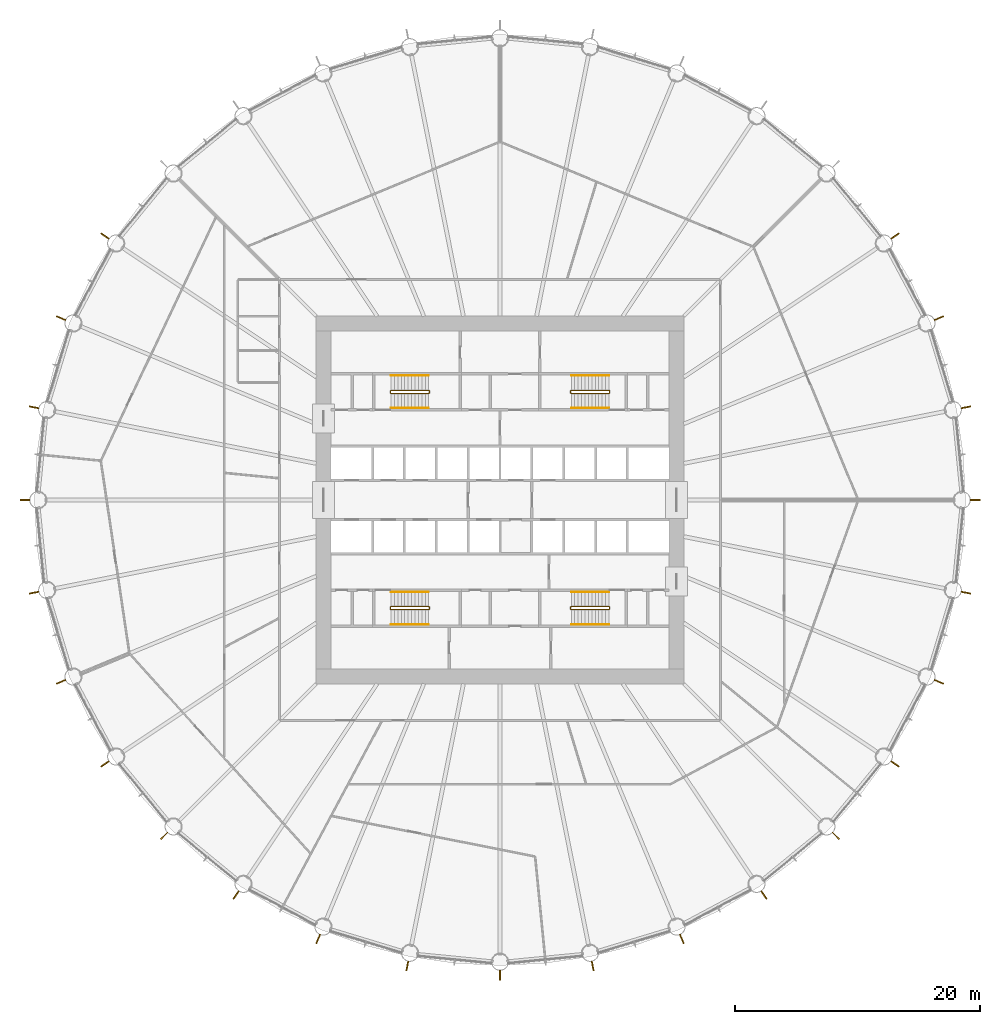
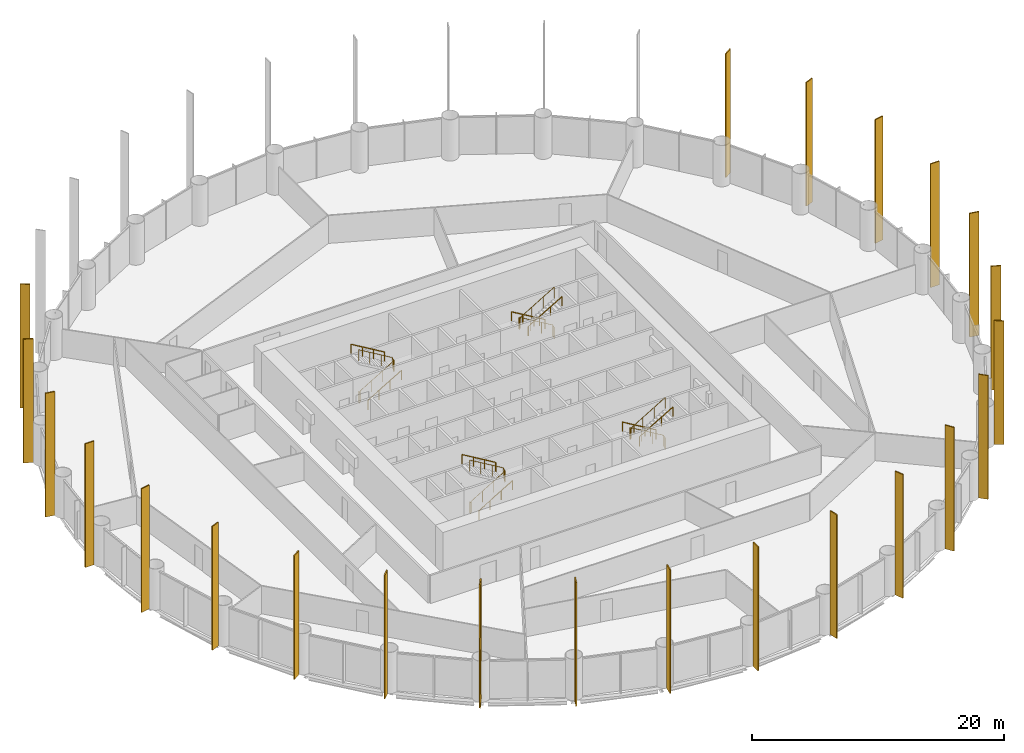
# One storey, part 14 of 15: 23 shading devices, 12 railings.
"""IFC4 building model written with IfcOpenShell, lengths in metres."""

from ifc_helpers import new_model, si_unit, direction, frame, origin, origin_2d, place, context, subcontext, project, spatial, rectangle, circle, extrude, material, material_profile, profile_set, type_object, element, save


model = new_model("IFC4")

# Units and contexts
model_context = context("Model", 3, precision=1e-05, world=origin(), true_north=direction((0.0, 1.0)))
body_context = subcontext(model_context, "Body", "Model", "MODEL_VIEW")
ifc_project = project(units=[si_unit("LENGTHUNIT", "METRE"), si_unit("AREAUNIT", "SQUARE_METRE"), si_unit("VOLUMEUNIT", "CUBIC_METRE"), si_unit("PLANEANGLEUNIT", "RADIAN"), si_unit("MASSUNIT", "GRAM", prefix="KILO")], contexts=[model_context])

# Site, building, storey
site_placement = place(None, origin())
site = spatial("IfcSite", under=ifc_project, at=site_placement, CompositionType="ELEMENT")
building_placement = place(site_placement, origin())
building = spatial("IfcBuilding", under=site, at=building_placement, Name="Corvane Civic Tower", CompositionType="ELEMENT")
storey_placement = place(building_placement, frame((0.0, 0.0, 65.0)))
storey = spatial("IfcBuildingStorey", under=building, at=storey_placement, Name="L14", CompositionType="ELEMENT", Elevation=65.0)

# Railings
ifc_material_1 = material(Name="Steel ASTM A572 Gr 50", Category="steel")
railing_type_1 = type_object("IfcRailingType", Name="ST-GUARD-1100", PredefinedType="GUARDRAIL", material=ifc_material_1)
railing_1_placement = place(storey_placement, frame((8.949951171875, 8.75, 0.0)))
element("IfcRailing", 1, at=railing_1_placement, inside=storey, type_object=railing_type_1, Name="L14 ST1 stair guard 1", PredefinedType="GUARDRAIL", context=body_context, shape_type="SweptSolid", body=[
    extrude(circle(Radius=0.02392578125, at=origin_2d()), frame((0.0, 0.0, 1.076171875), z_axis=(0.0, 1.0, 0.0), x_axis=(-1.0, 0.0, 0.0)), (0.0, 0.0, 1.0), 0.14990234375),
    extrude(circle(Radius=0.02392578125, at=origin_2d()), frame((0.0, 0.14990234375, 1.076171875), z_axis=(-0.27628659633, 0.27628659633, 0.920506074601), x_axis=(-0.707106781187, -0.707106781187, 0.0)), (0.0, 0.0, 1.0), 0.18115234375),
    extrude(circle(Radius=0.02392578125, at=origin_2d()), frame((-0.050048828125, 0.199951171875, 1.24267578125), z_axis=(-0.859290745958, 0.0, 0.51148745235), x_axis=(0.0, -1.0, 0.0)), (0.0, 0.0, 1.0), 3.584228515625),
    extrude(circle(Radius=0.02392578125, at=origin_2d()), frame((-3.1298828125, 0.199951171875, 3.076171875), z_axis=(-0.707106781187, -0.707106781187, 0.0), x_axis=(0.707106781187, -0.707106781187, 0.0)), (0.0, 0.0, 1.0), 0.07080078125),
    extrude(circle(Radius=0.02392578125, at=origin_2d()), frame((-3.179931640625, 0.14990234375, 3.076171875), z_axis=(0.0, -1.0, 0.0), x_axis=(1.0, 0.0, 0.0)), (0.0, 0.0, 1.0), 0.14990234375),
    extrude(circle(Radius=0.02392578125, at=origin_2d()), frame((-3.179931640625, 0.0, 3.076171875), z_axis=(0.27628659633, -0.27628659633, 0.920506074601), x_axis=(0.707106781187, 0.707106781187, 0.0)), (0.0, 0.0, 1.0), 0.18115234375),
    extrude(circle(Radius=0.02392578125, at=origin_2d()), frame((-3.1298828125, -0.050048828125, 3.24267578125), z_axis=(0.859290745958, 0.0, 0.51148745235), x_axis=(0.0, 1.0, 0.0)), (0.0, 0.0, 1.0), 3.584228515625),
    extrude(circle(Radius=0.02099609375, at=origin_2d()), origin(), (0.0, 0.0, 1.0), 1.052001953125),
    extrude(circle(Radius=0.02099609375, at=origin_2d()), frame((0.0, 0.14990234375, 0.0)), (0.0, 0.0, 1.0), 1.052001953125),
    extrude(circle(Radius=0.02099609375, at=origin_2d()), frame((-0.050048828125, 0.199951171875, 0.166748046875)), (0.0, 0.0, 1.0), 1.052001953125),
    extrude(circle(Radius=0.02099609375, at=origin_2d()), frame((-1.07666015625, 0.199951171875, 0.77783203125)), (0.0, 0.0, 1.0), 1.052001953125),
    extrude(circle(Radius=0.02099609375, at=origin_2d()), frame((-2.103271484375, 0.199951171875, 1.388916015625)), (0.0, 0.0, 1.0), 1.052001953125),
    extrude(circle(Radius=0.02099609375, at=origin_2d()), frame((-3.1298828125, 0.199951171875, 2.0)), (0.0, 0.0, 1.0), 1.052001953125),
    extrude(circle(Radius=0.02099609375, at=origin_2d()), frame((-3.179931640625, 0.14990234375, 2.0)), (0.0, 0.0, 1.0), 1.052001953125),
    extrude(circle(Radius=0.02099609375, at=origin_2d()), frame((-3.179931640625, 0.0, 2.0)), (0.0, 0.0, 1.0), 1.052001953125),
    extrude(circle(Radius=0.02099609375, at=origin_2d()), frame((-3.1298828125, -0.050048828125, 2.166748046875)), (0.0, 0.0, 1.0), 1.052001953125),
    extrude(circle(Radius=0.02099609375, at=origin_2d()), frame((-2.103271484375, -0.050048828125, 2.77783203125)), (0.0, 0.0, 1.0), 1.052001953125),
    extrude(circle(Radius=0.02099609375, at=origin_2d()), frame((-1.07666015625, -0.050048828125, 3.388916015625)), (0.0, 0.0, 1.0), 1.052001953125),
    extrude(circle(Radius=0.02099609375, at=origin_2d()), frame((-0.050048828125, -0.050048828125, 4.0)), (0.0, 0.0, 1.0), 1.052001953125),
])
railing_2_placement = place(storey_placement, frame((8.949951171875, -8.89990234375, 0.0)))
element("IfcRailing", 2, at=railing_2_placement, inside=storey, type_object=railing_type_1, Name="L14 ST2 stair guard 1", PredefinedType="GUARDRAIL", context=body_context, shape_type="SweptSolid", body=[
    extrude(circle(Radius=0.02392578125, at=origin_2d()), frame((0.0, 0.0, 1.076171875), z_axis=(0.0, 1.0, 0.0), x_axis=(-1.0, 0.0, 0.0)), (0.0, 0.0, 1.0), 0.14990234375),
    extrude(circle(Radius=0.02392578125, at=origin_2d()), frame((0.0, 0.14990234375, 1.076171875), z_axis=(-0.27628659633, 0.27628659633, 0.920506074601), x_axis=(-0.707106781187, -0.707106781187, 0.0)), (0.0, 0.0, 1.0), 0.18115234375),
    extrude(circle(Radius=0.02392578125, at=origin_2d()), frame((-0.050048828125, 0.199951171875, 1.24267578125), z_axis=(-0.859290745958, 0.0, 0.51148745235), x_axis=(0.0, -1.0, 0.0)), (0.0, 0.0, 1.0), 3.584228515625),
    extrude(circle(Radius=0.02392578125, at=origin_2d()), frame((-3.1298828125, 0.199951171875, 3.076171875), z_axis=(-0.707106781187, -0.707106781187, 0.0), x_axis=(0.707106781187, -0.707106781187, 0.0)), (0.0, 0.0, 1.0), 0.07080078125),
    extrude(circle(Radius=0.02392578125, at=origin_2d()), frame((-3.179931640625, 0.14990234375, 3.076171875), z_axis=(0.0, -1.0, 0.0), x_axis=(1.0, 0.0, 0.0)), (0.0, 0.0, 1.0), 0.14990234375),
    extrude(circle(Radius=0.02392578125, at=origin_2d()), frame((-3.179931640625, 0.0, 3.076171875), z_axis=(0.27628659633, -0.27628659633, 0.920506074601), x_axis=(0.707106781187, 0.707106781187, 0.0)), (0.0, 0.0, 1.0), 0.18115234375),
    extrude(circle(Radius=0.02392578125, at=origin_2d()), frame((-3.1298828125, -0.050048828125, 3.24267578125), z_axis=(0.859290745958, 0.0, 0.51148745235), x_axis=(0.0, 1.0, 0.0)), (0.0, 0.0, 1.0), 3.584228515625),
    extrude(circle(Radius=0.02099609375, at=origin_2d()), origin(), (0.0, 0.0, 1.0), 1.052001953125),
    extrude(circle(Radius=0.02099609375, at=origin_2d()), frame((0.0, 0.14990234375, 0.0)), (0.0, 0.0, 1.0), 1.052001953125),
    extrude(circle(Radius=0.02099609375, at=origin_2d()), frame((-0.050048828125, 0.199951171875, 0.166748046875)), (0.0, 0.0, 1.0), 1.052001953125),
    extrude(circle(Radius=0.02099609375, at=origin_2d()), frame((-1.07666015625, 0.199951171875, 0.77783203125)), (0.0, 0.0, 1.0), 1.052001953125),
    extrude(circle(Radius=0.02099609375, at=origin_2d()), frame((-2.103271484375, 0.199951171875, 1.388916015625)), (0.0, 0.0, 1.0), 1.052001953125),
    extrude(circle(Radius=0.02099609375, at=origin_2d()), frame((-3.1298828125, 0.199951171875, 2.0)), (0.0, 0.0, 1.0), 1.052001953125),
    extrude(circle(Radius=0.02099609375, at=origin_2d()), frame((-3.179931640625, 0.14990234375, 2.0)), (0.0, 0.0, 1.0), 1.052001953125),
    extrude(circle(Radius=0.02099609375, at=origin_2d()), frame((-3.179931640625, 0.0, 2.0)), (0.0, 0.0, 1.0), 1.052001953125),
    extrude(circle(Radius=0.02099609375, at=origin_2d()), frame((-3.1298828125, -0.050048828125, 2.166748046875)), (0.0, 0.0, 1.0), 1.052001953125),
    extrude(circle(Radius=0.02099609375, at=origin_2d()), frame((-2.103271484375, -0.050048828125, 2.77783203125)), (0.0, 0.0, 1.0), 1.052001953125),
    extrude(circle(Radius=0.02099609375, at=origin_2d()), frame((-1.07666015625, -0.050048828125, 3.388916015625)), (0.0, 0.0, 1.0), 1.052001953125),
    extrude(circle(Radius=0.02099609375, at=origin_2d()), frame((-0.050048828125, -0.050048828125, 4.0)), (0.0, 0.0, 1.0), 1.052001953125),
])
railing_3_placement = place(storey_placement, frame((-8.949951171875, -8.75, 0.0)))
element("IfcRailing", 3, at=railing_3_placement, inside=storey, type_object=railing_type_1, Name="L14 ST3 stair guard 1", PredefinedType="GUARDRAIL", context=body_context, shape_type="SweptSolid", body=[
    extrude(circle(Radius=0.02392578125, at=origin_2d()), frame((0.0, 0.0, 1.076171875), z_axis=(0.0, -1.0, 0.0), x_axis=(1.0, 0.0, 0.0)), (0.0, 0.0, 1.0), 0.14990234375),
    extrude(circle(Radius=0.02392578125, at=origin_2d()), frame((0.0, -0.14990234375, 1.076171875), z_axis=(0.27628659633, -0.27628659633, 0.920506074601), x_axis=(0.707106781187, 0.707106781187, 0.0)), (0.0, 0.0, 1.0), 0.18115234375),
    extrude(circle(Radius=0.02392578125, at=origin_2d()), frame((0.050048828125, -0.199951171875, 1.24267578125), z_axis=(0.859290745958, 0.0, 0.51148745235), x_axis=(0.0, 1.0, 0.0)), (0.0, 0.0, 1.0), 3.584228515625),
    extrude(circle(Radius=0.02392578125, at=origin_2d()), frame((3.1298828125, -0.199951171875, 3.076171875), z_axis=(0.707106781187, 0.707106781187, 0.0), x_axis=(-0.707106781187, 0.707106781187, 0.0)), (0.0, 0.0, 1.0), 0.07080078125),
    extrude(circle(Radius=0.02392578125, at=origin_2d()), frame((3.179931640625, -0.14990234375, 3.076171875), z_axis=(0.0, 1.0, 0.0), x_axis=(-1.0, 0.0, 0.0)), (0.0, 0.0, 1.0), 0.14990234375),
    extrude(circle(Radius=0.02392578125, at=origin_2d()), frame((3.179931640625, 0.0, 3.076171875), z_axis=(-0.27628659633, 0.27628659633, 0.920506074601), x_axis=(-0.707106781187, -0.707106781187, 0.0)), (0.0, 0.0, 1.0), 0.18115234375),
    extrude(circle(Radius=0.02392578125, at=origin_2d()), frame((3.1298828125, 0.050048828125, 3.24267578125), z_axis=(-0.859290745958, 0.0, 0.51148745235), x_axis=(0.0, -1.0, 0.0)), (0.0, 0.0, 1.0), 3.584228515625),
    extrude(circle(Radius=0.02099609375, at=origin_2d()), origin(), (0.0, 0.0, 1.0), 1.052001953125),
    extrude(circle(Radius=0.02099609375, at=origin_2d()), frame((0.0, -0.14990234375, 0.0)), (0.0, 0.0, 1.0), 1.052001953125),
    extrude(circle(Radius=0.02099609375, at=origin_2d()), frame((0.050048828125, -0.199951171875, 0.166748046875)), (0.0, 0.0, 1.0), 1.052001953125),
    extrude(circle(Radius=0.02099609375, at=origin_2d()), frame((1.07666015625, -0.199951171875, 0.77783203125)), (0.0, 0.0, 1.0), 1.052001953125),
    extrude(circle(Radius=0.02099609375, at=origin_2d()), frame((2.103271484375, -0.199951171875, 1.388916015625)), (0.0, 0.0, 1.0), 1.052001953125),
    extrude(circle(Radius=0.02099609375, at=origin_2d()), frame((3.1298828125, -0.199951171875, 2.0)), (0.0, 0.0, 1.0), 1.052001953125),
    extrude(circle(Radius=0.02099609375, at=origin_2d()), frame((3.179931640625, -0.14990234375, 2.0)), (0.0, 0.0, 1.0), 1.052001953125),
    extrude(circle(Radius=0.02099609375, at=origin_2d()), frame((3.179931640625, 0.0, 2.0)), (0.0, 0.0, 1.0), 1.052001953125),
    extrude(circle(Radius=0.02099609375, at=origin_2d()), frame((3.1298828125, 0.050048828125, 2.166748046875)), (0.0, 0.0, 1.0), 1.052001953125),
    extrude(circle(Radius=0.02099609375, at=origin_2d()), frame((2.103271484375, 0.050048828125, 2.77783203125)), (0.0, 0.0, 1.0), 1.052001953125),
    extrude(circle(Radius=0.02099609375, at=origin_2d()), frame((1.07666015625, 0.050048828125, 3.388916015625)), (0.0, 0.0, 1.0), 1.052001953125),
    extrude(circle(Radius=0.02099609375, at=origin_2d()), frame((0.050048828125, 0.050048828125, 4.0)), (0.0, 0.0, 1.0), 1.052001953125),
])
railing_4_placement = place(storey_placement, frame((-8.949951171875, 8.89990234375, 0.0)))
element("IfcRailing", 4, at=railing_4_placement, inside=storey, type_object=railing_type_1, Name="L14 ST4 stair guard 1", PredefinedType="GUARDRAIL", context=body_context, shape_type="SweptSolid", body=[
    extrude(circle(Radius=0.02392578125, at=origin_2d()), frame((0.0, 0.0, 1.076171875), z_axis=(0.0, -1.0, 0.0), x_axis=(1.0, 0.0, 0.0)), (0.0, 0.0, 1.0), 0.14990234375),
    extrude(circle(Radius=0.02392578125, at=origin_2d()), frame((0.0, -0.14990234375, 1.076171875), z_axis=(0.27628659633, -0.27628659633, 0.920506074601), x_axis=(0.707106781187, 0.707106781187, 0.0)), (0.0, 0.0, 1.0), 0.18115234375),
    extrude(circle(Radius=0.02392578125, at=origin_2d()), frame((0.050048828125, -0.199951171875, 1.24267578125), z_axis=(0.859290745958, 0.0, 0.51148745235), x_axis=(0.0, 1.0, 0.0)), (0.0, 0.0, 1.0), 3.584228515625),
    extrude(circle(Radius=0.02392578125, at=origin_2d()), frame((3.1298828125, -0.199951171875, 3.076171875), z_axis=(0.707106781187, 0.707106781187, 0.0), x_axis=(-0.707106781187, 0.707106781187, 0.0)), (0.0, 0.0, 1.0), 0.07080078125),
    extrude(circle(Radius=0.02392578125, at=origin_2d()), frame((3.179931640625, -0.14990234375, 3.076171875), z_axis=(0.0, 1.0, 0.0), x_axis=(-1.0, 0.0, 0.0)), (0.0, 0.0, 1.0), 0.14990234375),
    extrude(circle(Radius=0.02392578125, at=origin_2d()), frame((3.179931640625, 0.0, 3.076171875), z_axis=(-0.27628659633, 0.27628659633, 0.920506074601), x_axis=(-0.707106781187, -0.707106781187, 0.0)), (0.0, 0.0, 1.0), 0.18115234375),
    extrude(circle(Radius=0.02392578125, at=origin_2d()), frame((3.1298828125, 0.050048828125, 3.24267578125), z_axis=(-0.859290745958, 0.0, 0.51148745235), x_axis=(0.0, -1.0, 0.0)), (0.0, 0.0, 1.0), 3.584228515625),
    extrude(circle(Radius=0.02099609375, at=origin_2d()), origin(), (0.0, 0.0, 1.0), 1.052001953125),
    extrude(circle(Radius=0.02099609375, at=origin_2d()), frame((0.0, -0.14990234375, 0.0)), (0.0, 0.0, 1.0), 1.052001953125),
    extrude(circle(Radius=0.02099609375, at=origin_2d()), frame((0.050048828125, -0.199951171875, 0.166748046875)), (0.0, 0.0, 1.0), 1.052001953125),
    extrude(circle(Radius=0.02099609375, at=origin_2d()), frame((1.07666015625, -0.199951171875, 0.77783203125)), (0.0, 0.0, 1.0), 1.052001953125),
    extrude(circle(Radius=0.02099609375, at=origin_2d()), frame((2.103271484375, -0.199951171875, 1.388916015625)), (0.0, 0.0, 1.0), 1.052001953125),
    extrude(circle(Radius=0.02099609375, at=origin_2d()), frame((3.1298828125, -0.199951171875, 2.0)), (0.0, 0.0, 1.0), 1.052001953125),
    extrude(circle(Radius=0.02099609375, at=origin_2d()), frame((3.179931640625, -0.14990234375, 2.0)), (0.0, 0.0, 1.0), 1.052001953125),
    extrude(circle(Radius=0.02099609375, at=origin_2d()), frame((3.179931640625, 0.0, 2.0)), (0.0, 0.0, 1.0), 1.052001953125),
    extrude(circle(Radius=0.02099609375, at=origin_2d()), frame((3.1298828125, 0.050048828125, 2.166748046875)), (0.0, 0.0, 1.0), 1.052001953125),
    extrude(circle(Radius=0.02099609375, at=origin_2d()), frame((2.103271484375, 0.050048828125, 2.77783203125)), (0.0, 0.0, 1.0), 1.052001953125),
    extrude(circle(Radius=0.02099609375, at=origin_2d()), frame((1.07666015625, 0.050048828125, 3.388916015625)), (0.0, 0.0, 1.0), 1.052001953125),
    extrude(circle(Radius=0.02099609375, at=origin_2d()), frame((0.050048828125, 0.050048828125, 4.0)), (0.0, 0.0, 1.0), 1.052001953125),
])
ifc_material_2 = material(Name="Steel ASTM A572 Gr 50", Category="steel")
railing_type_2 = type_object("IfcRailingType", Name="ST-HANDRAIL-900", PredefinedType="HANDRAIL", material=ifc_material_2)
railing_5_placement = place(storey_placement, frame((8.89990234375, 10.14990234375, 0.166748046875)))
element("IfcRailing", 5, at=railing_5_placement, inside=storey, type_object=railing_type_2, Name="L14 ST1 stair handrail 1", PredefinedType="HANDRAIL", context=body_context, shape_type="SweptSolid", body=[
    extrude(circle(Radius=0.02392578125, at=origin_2d()), frame((0.0, 0.0, 0.8759765625), z_axis=(-0.859290745958, 0.0, 0.51148745235), x_axis=(0.0, -1.0, 0.0)), (0.0, 0.0, 1.0), 3.584228515625),
    extrude(circle(Radius=0.02099609375, at=origin_2d()), origin(), (0.0, 0.0, 1.0), 0.851806640625),
    extrude(circle(Radius=0.02099609375, at=origin_2d()), frame((-1.026611328125, 0.0, 0.611083984375)), (0.0, 0.0, 1.0), 0.851806640625),
    extrude(circle(Radius=0.02099609375, at=origin_2d()), frame((-2.05322265625, 0.0, 1.22216796875)), (0.0, 0.0, 1.0), 0.851806640625),
    extrude(circle(Radius=0.02099609375, at=origin_2d()), frame((-3.079833984375, 0.0, 1.833251953125)), (0.0, 0.0, 1.0), 0.851806640625),
])
railing_6_placement = place(storey_placement, frame((5.820068359375, 7.5, 2.166748046875)))
element("IfcRailing", 6, at=railing_6_placement, inside=storey, type_object=railing_type_2, Name="L14 ST1 stair handrail 2", PredefinedType="HANDRAIL", context=body_context, shape_type="SweptSolid", body=[
    extrude(circle(Radius=0.02392578125, at=origin_2d()), frame((0.0, 0.0, 0.8759765625), z_axis=(0.859290745958, 0.0, 0.51148745235), x_axis=(0.0, 1.0, 0.0)), (0.0, 0.0, 1.0), 3.584228515625),
    extrude(circle(Radius=0.02099609375, at=origin_2d()), origin(), (0.0, 0.0, 1.0), 0.851806640625),
    extrude(circle(Radius=0.02099609375, at=origin_2d()), frame((1.026611328125, 0.0, 0.611083984375)), (0.0, 0.0, 1.0), 0.851806640625),
    extrude(circle(Radius=0.02099609375, at=origin_2d()), frame((2.05322265625, 0.0, 1.22216796875)), (0.0, 0.0, 1.0), 0.851806640625),
    extrude(circle(Radius=0.02099609375, at=origin_2d()), frame((3.079833984375, 0.0, 1.833251953125)), (0.0, 0.0, 1.0), 0.851806640625),
])
railing_7_placement = place(storey_placement, frame((8.89990234375, -7.5, 0.166748046875)))
element("IfcRailing", 7, at=railing_7_placement, inside=storey, type_object=railing_type_2, Name="L14 ST2 stair handrail 1", PredefinedType="HANDRAIL", context=body_context, shape_type="SweptSolid", body=[
    extrude(circle(Radius=0.02392578125, at=origin_2d()), frame((0.0, 0.0, 0.8759765625), z_axis=(-0.859290745958, 0.0, 0.51148745235), x_axis=(0.0, -1.0, 0.0)), (0.0, 0.0, 1.0), 3.584228515625),
    extrude(circle(Radius=0.02099609375, at=origin_2d()), origin(), (0.0, 0.0, 1.0), 0.851806640625),
    extrude(circle(Radius=0.02099609375, at=origin_2d()), frame((-1.026611328125, 0.0, 0.611083984375)), (0.0, 0.0, 1.0), 0.851806640625),
    extrude(circle(Radius=0.02099609375, at=origin_2d()), frame((-2.05322265625, 0.0, 1.22216796875)), (0.0, 0.0, 1.0), 0.851806640625),
    extrude(circle(Radius=0.02099609375, at=origin_2d()), frame((-3.079833984375, 0.0, 1.833251953125)), (0.0, 0.0, 1.0), 0.851806640625),
])
for number, where, name in (
    (8, (5.820068359375, -10.14990234375, 2.166748046875), "L14 ST2 stair handrail 2"),
    (9, (-8.89990234375, -10.14990234375, 0.166748046875), "L14 ST3 stair handrail 1"),
):
    element("IfcRailing", number, at=place(storey_placement, frame(where)), inside=storey, type_object=railing_type_2, Name=name, PredefinedType="HANDRAIL", context=body_context, shape_type="SweptSolid", body=[
        extrude(circle(Radius=0.02392578125, at=origin_2d()), frame((0.0, 0.0, 0.8759765625), z_axis=(0.859290745958, 0.0, 0.51148745235), x_axis=(0.0, 1.0, 0.0)), (0.0, 0.0, 1.0), 3.584228515625),
        extrude(circle(Radius=0.02099609375, at=origin_2d()), origin(), (0.0, 0.0, 1.0), 0.851806640625),
        extrude(circle(Radius=0.02099609375, at=origin_2d()), frame((1.026611328125, 0.0, 0.611083984375)), (0.0, 0.0, 1.0), 0.851806640625),
        extrude(circle(Radius=0.02099609375, at=origin_2d()), frame((2.05322265625, 0.0, 1.22216796875)), (0.0, 0.0, 1.0), 0.851806640625),
        extrude(circle(Radius=0.02099609375, at=origin_2d()), frame((3.079833984375, 0.0, 1.833251953125)), (0.0, 0.0, 1.0), 0.851806640625),
    ])
railing_8_placement = place(storey_placement, frame((-5.820068359375, -7.5, 2.166748046875)))
element("IfcRailing", 10, at=railing_8_placement, inside=storey, type_object=railing_type_2, Name="L14 ST3 stair handrail 2", PredefinedType="HANDRAIL", context=body_context, shape_type="SweptSolid", body=[
    extrude(circle(Radius=0.02392578125, at=origin_2d()), frame((0.0, 0.0, 0.8759765625), z_axis=(-0.859290745958, 0.0, 0.51148745235), x_axis=(0.0, -1.0, 0.0)), (0.0, 0.0, 1.0), 3.584228515625),
    extrude(circle(Radius=0.02099609375, at=origin_2d()), origin(), (0.0, 0.0, 1.0), 0.851806640625),
    extrude(circle(Radius=0.02099609375, at=origin_2d()), frame((-1.026611328125, 0.0, 0.611083984375)), (0.0, 0.0, 1.0), 0.851806640625),
    extrude(circle(Radius=0.02099609375, at=origin_2d()), frame((-2.05322265625, 0.0, 1.22216796875)), (0.0, 0.0, 1.0), 0.851806640625),
    extrude(circle(Radius=0.02099609375, at=origin_2d()), frame((-3.079833984375, 0.0, 1.833251953125)), (0.0, 0.0, 1.0), 0.851806640625),
])
railing_9_placement = place(storey_placement, frame((-8.89990234375, 7.5, 0.166748046875)))
element("IfcRailing", 11, at=railing_9_placement, inside=storey, type_object=railing_type_2, Name="L14 ST4 stair handrail 1", PredefinedType="HANDRAIL", context=body_context, shape_type="SweptSolid", body=[
    extrude(circle(Radius=0.02392578125, at=origin_2d()), frame((0.0, 0.0, 0.8759765625), z_axis=(0.859290745958, 0.0, 0.51148745235), x_axis=(0.0, 1.0, 0.0)), (0.0, 0.0, 1.0), 3.584228515625),
    extrude(circle(Radius=0.02099609375, at=origin_2d()), origin(), (0.0, 0.0, 1.0), 0.851806640625),
    extrude(circle(Radius=0.02099609375, at=origin_2d()), frame((1.026611328125, 0.0, 0.611083984375)), (0.0, 0.0, 1.0), 0.851806640625),
    extrude(circle(Radius=0.02099609375, at=origin_2d()), frame((2.05322265625, 0.0, 1.22216796875)), (0.0, 0.0, 1.0), 0.851806640625),
    extrude(circle(Radius=0.02099609375, at=origin_2d()), frame((3.079833984375, 0.0, 1.833251953125)), (0.0, 0.0, 1.0), 0.851806640625),
])
railing_10_placement = place(storey_placement, frame((-5.820068359375, 10.14990234375, 2.166748046875)))
element("IfcRailing", 12, at=railing_10_placement, inside=storey, type_object=railing_type_2, Name="L14 ST4 stair handrail 2", PredefinedType="HANDRAIL", context=body_context, shape_type="SweptSolid", body=[
    extrude(circle(Radius=0.02392578125, at=origin_2d()), frame((0.0, 0.0, 0.8759765625), z_axis=(-0.859290745958, 0.0, 0.51148745235), x_axis=(0.0, -1.0, 0.0)), (0.0, 0.0, 1.0), 3.584228515625),
    extrude(circle(Radius=0.02099609375, at=origin_2d()), origin(), (0.0, 0.0, 1.0), 0.851806640625),
    extrude(circle(Radius=0.02099609375, at=origin_2d()), frame((-1.026611328125, 0.0, 0.611083984375)), (0.0, 0.0, 1.0), 0.851806640625),
    extrude(circle(Radius=0.02099609375, at=origin_2d()), frame((-2.05322265625, 0.0, 1.22216796875)), (0.0, 0.0, 1.0), 0.851806640625),
    extrude(circle(Radius=0.02099609375, at=origin_2d()), frame((-3.079833984375, 0.0, 1.833251953125)), (0.0, 0.0, 1.0), 0.851806640625),
])

# Shading devices
ifc_material_3 = material(Name="Anodised aluminium bronze", Category="aluminium")
ifc_material_profile = material_profile(ifc_material_3, rectangle(XDim=0.10009765625, YDim=0.800048828125, at=origin_2d()), Name="TOWER FIN STACK 100x800 BRONZE")
ifc_profile_set = profile_set([ifc_material_profile], Name="Anodised aluminium bronze")
shading_device_type = type_object("IfcShadingDeviceType", Name="TOWER FIN STACK 100x800 BRONZE", PredefinedType="USERDEFINED", material=ifc_profile_set)
for number, where, z_axis, x_axis, name in (
    (13, (32.244384765625, 21.544921875, 0.0), (0.0, 0.0, 1.0), (0.55557023302, -0.831469612303, 0.0), "Fin 06 L14 to L16"),
    (14, (35.828125, 14.840576171875, 0.0), (0.0, 0.0, 1.0), (0.382683432365, -0.923879532511, 0.0), "Fin 07 L14 to L16"),
    (15, (38.034912109375, 7.565673828125, 0.0), (0.0, 0.0, 1.0), (0.195090322016, -0.980785280403, 0.0), "Fin 08 L14 to L16"),
    (16, (38.780029296875, 0.0, 0.0), (0.0, 0.0, 1.0), (0.0, -1.0, 0.0), "Fin 09 L14 to L16"),
    (17, (38.034912109375, -7.565673828125, 0.0), (0.0, 0.0, 1.0), (-0.195090322016, -0.980785280403, 0.0), "Fin 10 L14 to L16"),
    (18, (35.828125, -14.840576171875, 0.0), (0.0, 0.0, 1.0), (-0.382683432365, -0.923879532511, 0.0), "Fin 11 L14 to L16"),
    (19, (32.244384765625, -21.544921875, 0.0), (0.0, 0.0, 1.0), (-0.55557023302, -0.831469612303, 0.0), "Fin 12 L14 to L16"),
    (20, (27.421630859375, -27.421630859375, 0.0), (0.0, 0.0, 1.0), (-0.707106781187, -0.707106781187, 0.0), "Fin 13 L14 to L16"),
    (21, (21.544921875, -32.244384765625, 0.0), (0.0, 0.0, 1.0), (-0.831469612303, -0.55557023302, 0.0), "Fin 14 L14 to L16"),
    (22, (14.840576171875, -35.828125, 0.0), (0.0, 0.0, 1.0), (-0.923879532511, -0.382683432365, 0.0), "Fin 15 L14 to L16"),
    (23, (7.565673828125, -38.034912109375, 0.0), (0.0, 0.0, 1.0), (-0.980785280403, -0.195090322016, 0.0), "Fin 16 L14 to L16"),
    (24, (0.0, -38.780029296875, 0.0), (0.0, 0.0, 1.0), (-1.0, 0.0, 0.0), "Fin 17 L14 to L16"),
    (25, (-7.565673828125, -38.034912109375, 0.0), (0.0, 0.0, 1.0), (-0.980785280403, 0.195090322016, 0.0), "Fin 18 L14 to L16"),
    (26, (-14.840576171875, -35.828125, 0.0), (0.0, 0.0, 1.0), (-0.923879532511, 0.382683432365, 0.0), "Fin 19 L14 to L16"),
    (27, (-21.544921875, -32.244384765625, 0.0), (0.0, 0.0, 1.0), (-0.831469612303, 0.55557023302, 0.0), "Fin 20 L14 to L16"),
    (28, (-27.421630859375, -27.421630859375, 0.0), (0.0, 0.0, 1.0), (-0.707106781187, 0.707106781187, 0.0), "Fin 21 L14 to L16"),
    (29, (-32.244384765625, -21.544921875, 0.0), (0.0, 0.0, 1.0), (-0.55557023302, 0.831469612303, 0.0), "Fin 22 L14 to L16"),
    (30, (-35.828125, -14.840576171875, 0.0), (0.0, 0.0, 1.0), (-0.382683432365, 0.923879532511, 0.0), "Fin 23 L14 to L16"),
    (31, (-38.034912109375, -7.565673828125, 0.0), (0.0, 0.0, 1.0), (-0.195090322016, 0.980785280403, 0.0), "Fin 24 L14 to L16"),
    (32, (-38.780029296875, 0.0, 0.0), (0.0, 0.0, 1.0), (0.0, 1.0, 0.0), "Fin 25 L14 to L16"),
    (33, (-38.034912109375, 7.565673828125, 0.0), (0.0, 0.0, 1.0), (0.195090322016, 0.980785280403, 0.0), "Fin 26 L14 to L16"),
    (34, (-35.828125, 14.840576171875, 0.0), (0.0, 0.0, 1.0), (0.382683432365, 0.923879532511, 0.0), "Fin 27 L14 to L16"),
    (35, (-32.244384765625, 21.544921875, 0.0), (0.0, 0.0, 1.0), (0.55557023302, 0.831469612303, 0.0), "Fin 28 L14 to L16"),
):
    element("IfcShadingDevice", number, at=place(storey_placement, frame(where, z_axis=z_axis, x_axis=x_axis)), inside=storey, type_object=shading_device_type, Name=name, ObjectType="FIN", PredefinedType="USERDEFINED", context=body_context, shape_type="SweptSolid", body=[
        extrude(rectangle(XDim=0.10009765625, YDim=0.800048828125, at=origin_2d()), origin(), (0.0, 0.0, 1.0), 12.0),
    ])

save(model, "model.ifc")
